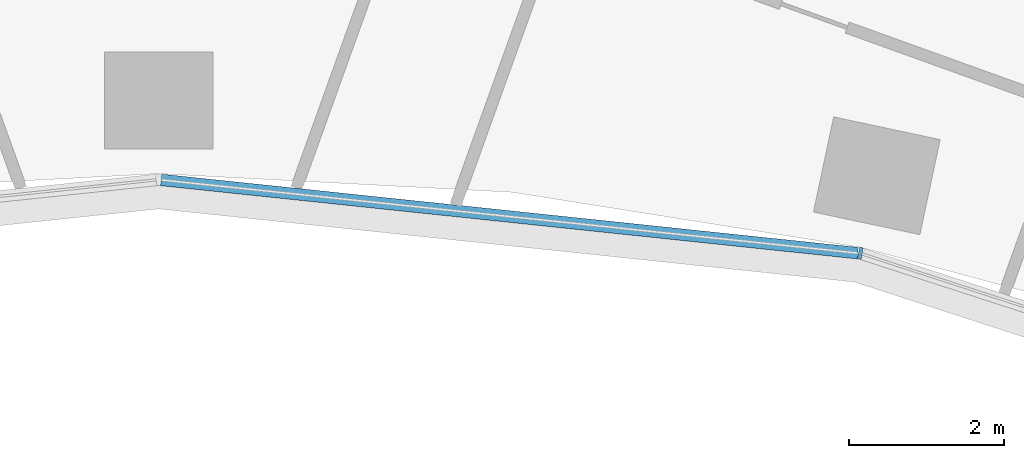
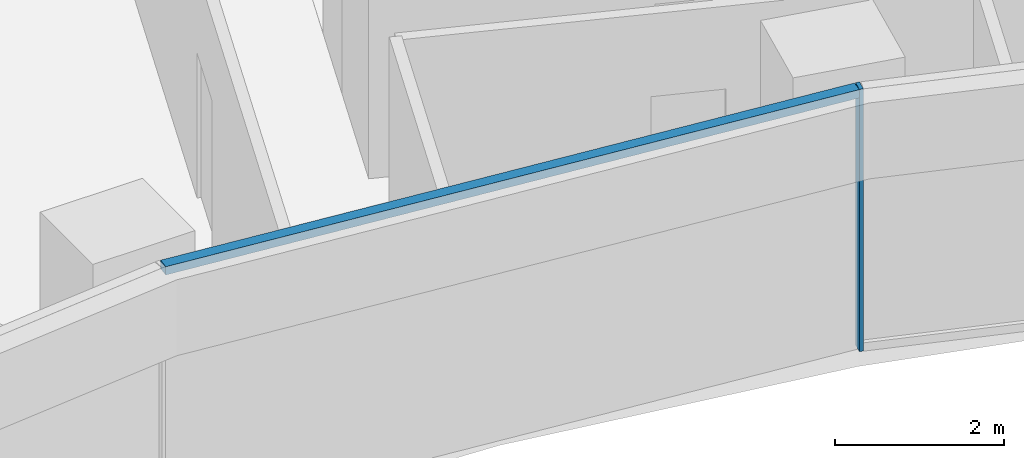
# One storey, part 6 of 24: 2 members, 1 element without a shape of its own.
"""IFC4 building model written with IfcOpenShell, lengths in metres."""

from ifc_helpers import new_model, si_unit, direction, frame, origin, origin_2d, place, context, subcontext, project, spatial, rectangle, extrude, material, layer, layer_set, material_profile, profile_set, type_object, element, aggregate, save


model = new_model("IFC4")

# Units and contexts
model_context = context("Model", 3, precision=1e-05, world=origin(), true_north=direction((0.0, 1.0)))
body_context = subcontext(model_context, "Body", "Model", "MODEL_VIEW")
ifc_project = project(units=[si_unit("LENGTHUNIT", "METRE"), si_unit("AREAUNIT", "SQUARE_METRE"), si_unit("VOLUMEUNIT", "CUBIC_METRE"), si_unit("PLANEANGLEUNIT", "RADIAN"), si_unit("MASSUNIT", "GRAM", prefix="KILO")], contexts=[model_context])

# Site, building, storey
site_placement = place(None, origin())
site = spatial("IfcSite", under=ifc_project, at=site_placement, CompositionType="ELEMENT")
building_placement = place(site_placement, origin())
building = spatial("IfcBuilding", under=site, at=building_placement, Name="Stone Belt Terrace Tower", CompositionType="ELEMENT")
storey_placement = place(building_placement, frame((0.0, 0.0, 75.60009765625)))
storey = spatial("IfcBuildingStorey", under=building, at=storey_placement, Name="L18", CompositionType="ELEMENT", Elevation=75.60009765625)

# Curtain wall, members
ifc_material = material(Name="Aluminium 6063-T6 anodised frame", Category="aluminium")
ifc_layer = layer(ifc_material, 0.14990234375)
ifc_layer_set = layer_set([ifc_layer], Name="CW-B unitised concave-face curtain wall")
curtain_wall_type = type_object("IfcCurtainWallType", Name="CW-B unitised concave-face curtain wall", PredefinedType="NOTDEFINED", material=ifc_layer_set)
curtain_wall_placement = place(storey_placement, origin())
curtain_wall = element("IfcCurtainWall", 1, at=curtain_wall_placement, inside=storey, type_object=curtain_wall_type, Name="CW-B concave face L18", PredefinedType="NOTDEFINED")
ifc_material_profile_1 = material_profile(ifc_material, rectangle(XDim=0.14990234375, YDim=0.050048828125, at=origin_2d()), Name="Aluminium 6063-T6 50x150")
ifc_profile_set_1 = profile_set([ifc_material_profile_1], Name="Aluminium 6063-T6 anodised frame")
member_type_1 = type_object("IfcMemberType", Name="CW-B mullion 50 x 150", PredefinedType="MULLION", material=ifc_profile_set_1)
member_1_placement = place(storey_placement, frame((9.028564453125, 42.4755859375, 0.0), z_axis=(0.0, 0.0, 1.0), x_axis=(0.207911690818, 0.978147600734, 0.0)))
member_1 = element("IfcMember", 2, at=member_1_placement, type_object=member_type_1, Name="CW-B mullion 7", PredefinedType="MULLION", context=body_context, shape_type="SweptSolid", body=[
    extrude(rectangle(XDim=0.14990234375, YDim=0.050048828125, at=origin_2d()), origin(), (0.0, 0.0, 1.0), 3.7998046875),
])
ifc_material_profile_2 = material_profile(ifc_material, rectangle(XDim=0.14990234375, YDim=0.1201171875, at=origin_2d()), Name="Aluminium 6063-T6 150x120")
ifc_profile_set_2 = profile_set([ifc_material_profile_2], Name="Aluminium 6063-T6 anodised frame")
member_type_2 = type_object("IfcMemberType", Name="CW-B transom 120 x 150", PredefinedType="USERDEFINED", material=ifc_profile_set_2)
member_2_placement = place(storey_placement, frame((0.032470703125, 43.421142578125, 3.739990234375), z_axis=(0.994521323407, -0.104533904969, 0.0), x_axis=(0.104533904969, 0.994521323407, 0.0)))
member_2 = element("IfcMember", 3, at=member_2_placement, type_object=member_type_2, Name="CW-B transom 6.1", ObjectType="TRANSOM", PredefinedType="USERDEFINED", context=body_context, shape_type="SweptSolid", body=[
    extrude(rectangle(XDim=0.14990234375, YDim=0.1201171875, at=origin_2d()), origin(), (0.0, 0.0, 1.0), 9.0126953125),
])
aggregate(curtain_wall, [member_1, member_2])

save(model, "model.ifc")
